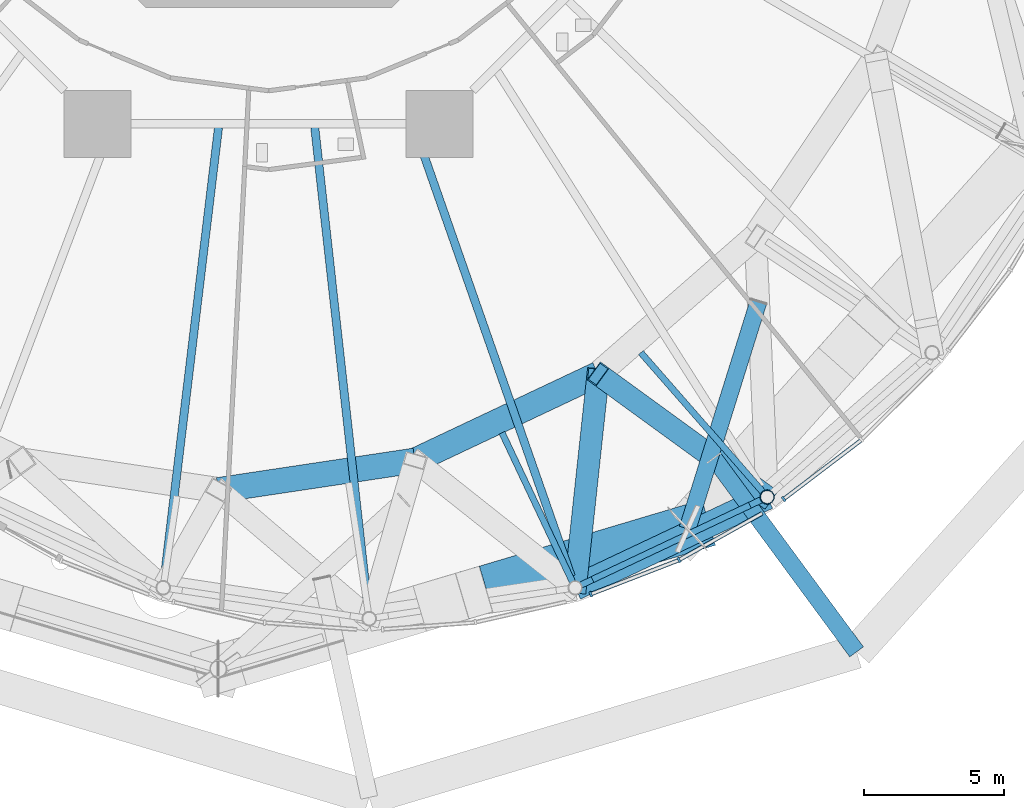
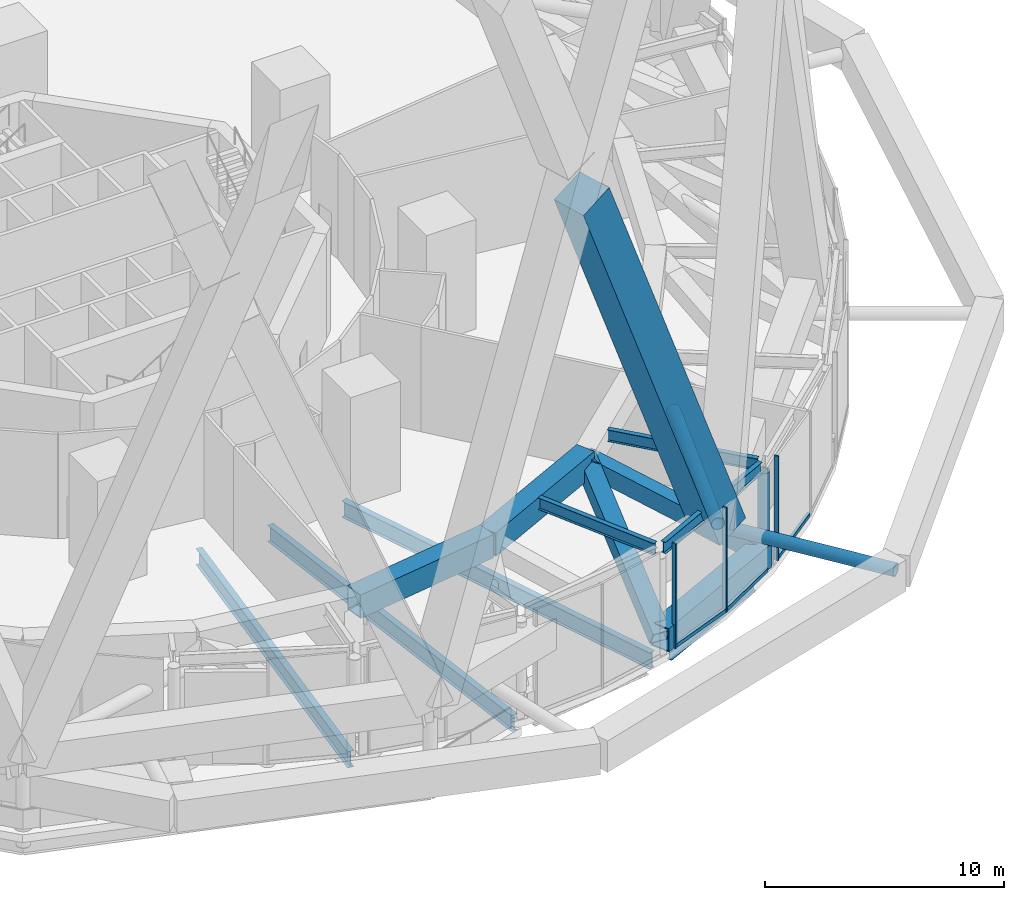
# One storey, part 11 of 51: 12 beams, 10 members, 3 elements without a shape of their own.
"""IFC4 building model written with IfcOpenShell, lengths in metres."""

from ifc_helpers import new_model, si_unit, direction, frame, origin, origin_2d, place, context, subcontext, project, spatial, rectangle, hollow_rectangle, hollow_circle, i_section, extrude, material, layer, layer_set, material_profile, profile_set, type_object, element, aggregate, save


model = new_model("IFC4")

# Units and contexts
model_context = context("Model", 3, precision=1e-05, world=origin(), true_north=direction((0.0, 1.0)))
body_context = subcontext(model_context, "Body", "Model", "MODEL_VIEW")
ifc_project = project(units=[si_unit("LENGTHUNIT", "METRE"), si_unit("AREAUNIT", "SQUARE_METRE"), si_unit("VOLUMEUNIT", "CUBIC_METRE"), si_unit("PLANEANGLEUNIT", "RADIAN"), si_unit("MASSUNIT", "GRAM", prefix="KILO")], contexts=[model_context])

# Site, building, storey
site_placement = place(None, origin())
site = spatial("IfcSite", under=ifc_project, at=site_placement, CompositionType="ELEMENT")
building_placement = place(site_placement, origin())
building = spatial("IfcBuilding", under=site, at=building_placement, Name="Nagisa Residences", CompositionType="ELEMENT")
storey_placement = place(building_placement, frame((0.0, 0.0, 67.699951171875)))
storey = spatial("IfcBuildingStorey", under=building, at=storey_placement, Name="L16", CompositionType="ELEMENT", Elevation=67.699951171875)

# Beams
ifc_material_1 = material(Name="Steel ASTM A572 Gr 50", Category="steel")
ifc_material_profile_1 = material_profile(ifc_material_1, hollow_rectangle(XDim=0.89990234375, YDim=1.199951171875, WallThickness=0.050048828125, at=origin_2d()), Name="BX 900x1200x50")
ifc_profile_set_1 = profile_set([ifc_material_profile_1], Name="Steel ASTM A572 Gr 50")
beam_type_1 = type_object("IfcBeamType", Name="Belt chord 1 BX 900x1200x50", PredefinedType="BEAM", material=ifc_profile_set_1)
beam_1_placement = place(storey_placement, frame((-1.800048828125, -27.897216796875, 4.739990234375), z_axis=(0.988918733765, 0.148457866103, 0.0), x_axis=(-0.148457866103, 0.988918733765, 0.0)))
element("IfcBeam", 1, at=beam_1_placement, inside=storey, type_object=beam_type_1, Name="beam:L16:bt1t19", PredefinedType="BEAM", context=body_context, shape_type="SweptSolid", body=[
    extrude(hollow_rectangle(XDim=0.89990234375, YDim=1.199951171875, WallThickness=0.050048828125, at=origin_2d()), origin(), (0.0, 0.0, 1.0), 7.117431640625),
])
beam_2_placement = place(storey_placement, frame((10.976318359375, -31.392578125, 0.60009765625), z_axis=(0.904204207344, 0.427100399697, 0.0), x_axis=(-0.427100399697, 0.904204207344, 0.0)))
element("IfcBeam", 2, at=beam_2_placement, inside=storey, type_object=beam_type_1, Name="beam:L16:bt1b20", PredefinedType="BEAM", context=body_context, shape_type="SweptSolid", body=[
    extrude(hollow_rectangle(XDim=0.89990234375, YDim=1.199951171875, WallThickness=0.050048828125, at=origin_2d()), origin(), (0.0, 0.0, 1.0), 7.60205078125),
])
beam_3_placement = place(storey_placement, frame((5.238525390625, -26.840576171875, 4.739990234375), z_axis=(0.904193048846, 0.427124022292, 0.0), x_axis=(-0.427124022292, 0.904193048846, 0.0)))
element("IfcBeam", 3, at=beam_3_placement, inside=storey, type_object=beam_type_1, Name="beam:L16:bt1t20", PredefinedType="BEAM", context=body_context, shape_type="SweptSolid", body=[
    extrude(hollow_rectangle(XDim=0.89990234375, YDim=1.199951171875, WallThickness=0.050048828125, at=origin_2d()), origin(), (0.0, 0.0, 1.0), 7.254150390625),
])
ifc_material_2 = material(Name="Steel ASTM A572 Gr 50", Category="steel")
ifc_material_profile_2 = material_profile(ifc_material_2, hollow_rectangle(XDim=0.800048828125, YDim=0.800048828125, WallThickness=0.044921875, at=origin_2d()), Name="BX 800x800x45")
ifc_profile_set_2 = profile_set([ifc_material_profile_2], Name="Steel ASTM A572 Gr 50")
beam_type_2 = type_object("IfcBeamType", Name="Belt diagonal 1 BX 800x800x45", PredefinedType="BEAM", material=ifc_profile_set_2)
beam_4_placement = place(storey_placement, frame((10.976318359375, -31.392578125, 0.60009765625), z_axis=(0.093997243351, 0.875593822132, 0.473814285228), x_axis=(-0.994287045684, 0.106739265435, 0.0)))
element("IfcBeam", 4, at=beam_4_placement, inside=storey, type_object=beam_type_2, Name="beam:L16:bt1db20", PredefinedType="BEAM", context=body_context, shape_type="SweptSolid", body=[
    extrude(hollow_rectangle(XDim=0.800048828125, YDim=0.800048828125, WallThickness=0.044921875, at=origin_2d()), origin(), (0.0, 0.0, 1.0), 8.7373046875),
])
beam_5_placement = place(storey_placement, frame((17.85009765625, -28.145751953125, 0.60009765625), z_axis=(-0.707602161169, 0.514824742084, 0.483998622361), x_axis=(-0.58832490201, -0.808624640779, 0.0)))
element("IfcBeam", 5, at=beam_5_placement, inside=storey, type_object=beam_type_2, Name="beam:L16:bt1da21", PredefinedType="BEAM", context=body_context, shape_type="SweptSolid", body=[
    extrude(hollow_rectangle(XDim=0.800048828125, YDim=0.800048828125, WallThickness=0.044921875, at=origin_2d()), origin(), (0.0, 0.0, 1.0), 8.553466796875),
])

# Curtain wall, member
ifc_material_3 = material(Name="Aluminium curtain wall system", Category="aluminium")
ifc_layer = layer(ifc_material_3, 0.159912109375)
ifc_layer_set = layer_set([ifc_layer], Name="CW2 CURTAIN WALL")
curtain_wall_type = type_object("IfcCurtainWallType", Name="CW2 CURTAIN WALL", PredefinedType="NOTDEFINED", material=ifc_layer_set)
curtain_wall_1_placement = place(storey_placement, origin())
curtain_wall_1 = element("IfcCurtainWall", 6, at=curtain_wall_1_placement, inside=storey, type_object=curtain_wall_type, Name="cw:CW2:L16:38", PredefinedType="NOTDEFINED")
ifc_material_4 = material(Name="Aluminium", Category="aluminium")
ifc_material_profile_3 = material_profile(ifc_material_4, rectangle(XDim=0.199951171875, YDim=0.080078125, at=origin_2d()), Name="CW2 MULLION 200x80")
ifc_profile_set_3 = profile_set([ifc_material_profile_3], Name="Aluminium")
member_type_1 = type_object("IfcMemberType", Name="CW2 MULLION 200x80", PredefinedType="MULLION", material=ifc_profile_set_3)
member_1_placement = place(storey_placement, frame((11.533935546875, -31.624267578125, 0.0), z_axis=(0.0, 0.0, 1.0), x_axis=(-0.360327770268, 0.932825759707, 0.0)))
member_1 = element("IfcMember", 7, at=member_1_placement, type_object=member_type_1, Name="CW2 mullion", PredefinedType="MULLION", context=body_context, shape_type="SweptSolid", body=[
    extrude(rectangle(XDim=0.199951171875, YDim=0.080078125, at=origin_2d()), origin(), (0.0, 0.0, 1.0), 5.340087890625),
])

curtain_wall_2_placement = place(storey_placement, origin())
curtain_wall_2 = element("IfcCurtainWall", 8, at=curtain_wall_2_placement, inside=storey, type_object=curtain_wall_type, Name="cw:CW2:L16:39", PredefinedType="NOTDEFINED")
member_2_placement = place(storey_placement, frame((14.693603515625, -30.398681640625, 0.0), z_axis=(0.0, 0.0, 1.0), x_axis=(-0.489376918501, 0.872072377523, 0.0)))
member_2 = element("IfcMember", 9, at=member_2_placement, type_object=member_type_1, Name="CW2 mullion", PredefinedType="MULLION", context=body_context, shape_type="SweptSolid", body=[
    extrude(rectangle(XDim=0.199951171875, YDim=0.080078125, at=origin_2d()), origin(), (0.0, 0.0, 1.0), 5.340087890625),
])

curtain_wall_3_placement = place(storey_placement, origin())
curtain_wall_3 = element("IfcCurtainWall", 10, at=curtain_wall_3_placement, inside=storey, type_object=curtain_wall_type, Name="cw:CW2:L16:40", PredefinedType="NOTDEFINED")
member_3_placement = place(storey_placement, frame((18.441650390625, -28.218505859375, 0.0), z_axis=(0.0, 0.0, 1.0), x_axis=(-0.605255421737, 0.79603132756, 0.0)))
member_3 = element("IfcMember", 11, at=member_3_placement, type_object=member_type_1, Name="CW2 mullion", PredefinedType="MULLION", context=body_context, shape_type="SweptSolid", body=[
    extrude(rectangle(XDim=0.199951171875, YDim=0.080078125, at=origin_2d()), origin(), (0.0, 0.0, 1.0), 5.340087890625),
])

# Member
ifc_material_5 = material(Name="Aluminium", Category="aluminium")
ifc_material_profile_4 = material_profile(ifc_material_5, rectangle(XDim=0.139892578125, YDim=0.179931640625, at=origin_2d()), Name="CW2 TRANSOM 140x180")
ifc_profile_set_4 = profile_set([ifc_material_profile_4], Name="Aluminium")
member_type_2 = type_object("IfcMemberType", Name="CW2 TRANSOM 140x180", PredefinedType="USERDEFINED", material=ifc_profile_set_4)
member_4_placement = place(storey_placement, frame((11.49658203125, -31.638671875, 0.090087890625), z_axis=(0.932832137481, 0.36031125889, 0.0), x_axis=(-0.36031125889, 0.932832137481, 0.0)))
member_4 = element("IfcMember", 12, at=member_4_placement, type_object=member_type_2, Name="CW2 transom", ObjectType="TRANSOM", PredefinedType="USERDEFINED", context=body_context, shape_type="SweptSolid", body=[
    extrude(rectangle(XDim=0.139892578125, YDim=0.179931640625, at=origin_2d()), origin(), (0.0, 0.0, 1.0), 3.40087890625),
])

aggregate(curtain_wall_1, [member_1, member_4])

member_5_placement = place(storey_placement, frame((14.65869140625, -30.418212890625, 0.090087890625), z_axis=(0.872073829529, 0.489374331009, 0.0), x_axis=(-0.489374331009, 0.872073829529, 0.0)))
member_5 = element("IfcMember", 13, at=member_5_placement, type_object=member_type_2, Name="CW2 transom", ObjectType="TRANSOM", PredefinedType="USERDEFINED", context=body_context, shape_type="SweptSolid", body=[
    extrude(rectangle(XDim=0.139892578125, YDim=0.179931640625, at=origin_2d()), origin(), (0.0, 0.0, 1.0), 3.451171875),
])

aggregate(curtain_wall_2, [member_2, member_5])

member_6_placement = place(storey_placement, frame((18.409912109375, -28.24267578125, 0.090087890625), z_axis=(0.796020180418, 0.605270082168, 0.0), x_axis=(-0.605270082168, 0.796020180418, 0.0)))
member_6 = element("IfcMember", 14, at=member_6_placement, type_object=member_type_2, Name="CW2 transom", ObjectType="TRANSOM", PredefinedType="USERDEFINED", context=body_context, shape_type="SweptSolid", body=[
    extrude(rectangle(XDim=0.139892578125, YDim=0.179931640625, at=origin_2d()), origin(), (0.0, 0.0, 1.0), 3.511962890625),
])

aggregate(curtain_wall_3, [member_3, member_6])

# Members
ifc_material_6 = material(Name="Concrete C80", Category="concrete")
ifc_material_profile_5 = material_profile(ifc_material_6, rectangle(XDim=1.699951171875, YDim=1.699951171875, at=origin_2d()), Name="C80 1700x1700")
ifc_profile_set_5 = profile_set([ifc_material_profile_5], Name="Concrete C80")
member_type_3 = type_object("IfcMemberType", Name="Cage diagonal 2 C80 1700x1700", PredefinedType="BRACE", material=ifc_profile_set_5)
member_7_placement = place(storey_placement, frame((14.99755859375, -29.28466796875, 3.699951171875), z_axis=(-0.351202118237, -0.104799994776, 0.930416053839), x_axis=(0.285944187923, -0.958246273874, 0.0)))
element("IfcMember", 15, at=member_7_placement, inside=storey, type_object=member_type_3, Name="mem:L16:cg2d020a", PredefinedType="BRACE", context=body_context, shape_type="SweptSolid", body=[
    extrude(rectangle(XDim=1.699951171875, YDim=1.699951171875, at=origin_2d()), origin(), (0.0, 0.0, 1.0), 22.687744140625),
])
ifc_material_7 = material(Name="Steel ASTM A572 Gr 65", Category="steel")
ifc_material_profile_6 = material_profile(ifc_material_7, hollow_circle(Radius=0.304931640625, WallThickness=0.02490234375, at=origin_2d()), Name="CHS 610x25")
ifc_profile_set_6 = profile_set([ifc_material_profile_6], Name="Steel ASTM A572 Gr 65")
member_type_4 = type_object("IfcMemberType", Name="Cage strut CHS 610x25", PredefinedType="STRUT", material=ifc_profile_set_6)
member_8_placement = place(storey_placement, frame((21.050048828125, -33.6884765625, 1.900146484375), z_axis=(-0.593015056501, 0.805191370274, 0.0), x_axis=(-0.805191370274, -0.593015056501, 0.0)))
element("IfcMember", 16, at=member_8_placement, inside=storey, type_object=member_type_4, Name="mem:L16:bt1st1a11", PredefinedType="STRUT", context=body_context, shape_type="SweptSolid", body=[
    extrude(hollow_circle(Radius=0.304931640625, WallThickness=0.02490234375, at=origin_2d()), origin(), (0.0, 0.0, 1.0), 8.60107421875),
])
member_9_placement = place(storey_placement, frame((14.99755859375, -29.28466796875, 3.699951171875), z_axis=(0.298079056428, 0.954541186183, 0.0), x_axis=(-0.954541186183, 0.298079056428, 0.0)))
element("IfcMember", 17, at=member_9_placement, inside=storey, type_object=member_type_4, Name="mem:L16:bt1st2b11", PredefinedType="STRUT", context=body_context, shape_type="SweptSolid", body=[
    extrude(hollow_circle(Radius=0.304931640625, WallThickness=0.02490234375, at=origin_2d()), origin(), (0.0, 0.0, 1.0), 8.513916015625),
])

# Beam
ifc_material_8 = material(Name="Steel ASTM A572 Gr 50", Category="steel")
ifc_material_profile_7 = material_profile(ifc_material_8, i_section(OverallWidth=0.22802734375, OverallDepth=0.60302734375, WebThickness=0.010498046875, FlangeThickness=0.014892578125, at=origin_2d()), Name="W610x101")
ifc_profile_set_7 = profile_set([ifc_material_profile_7], Name="Steel ASTM A572 Gr 50")
beam_type_3 = type_object("IfcBeamType", Name="Garden edge beam W610x101", PredefinedType="BEAM", material=ifc_profile_set_7)
beam_6_placement = place(storey_placement, frame((11.18798828125, -31.292724609375, 5.03857421875), z_axis=(0.904203493361, 0.42710191125, 0.0), x_axis=(-0.42710191125, 0.904203493361, 0.0)))
element("IfcBeam", 18, at=beam_6_placement, inside=storey, type_object=beam_type_3, Name="beam:L16:bt1ge20", PredefinedType="BEAM", context=body_context, shape_type="SweptSolid", body=[
    extrude(i_section(OverallWidth=0.22802734375, OverallDepth=0.60302734375, WebThickness=0.010498046875, FlangeThickness=0.014892578125, at=origin_2d()), origin(), (0.0, 0.0, 1.0), 7.1337890625),
])

# Member
ifc_material_9 = material(Name="Steel ASTM A572 Gr 65", Category="steel")
ifc_material_profile_8 = material_profile(ifc_material_9, hollow_circle(Radius=0.25390625, WallThickness=0.02001953125, at=origin_2d()), Name="CHS 508x20")
ifc_profile_set_8 = profile_set([ifc_material_profile_8], Name="Steel ASTM A572 Gr 65")
member_type_5 = type_object("IfcMemberType", Name="Garden edge post CHS 508x20", PredefinedType="POST", material=ifc_profile_set_8)
member_10_placement = place(storey_placement, frame((17.85009765625, -28.145751953125, 1.199951171875), z_axis=(0.0, 0.0, 1.0), x_axis=(1.0, 0.0, 0.0)))
element("IfcMember", 19, at=member_10_placement, inside=storey, type_object=member_type_5, Name="mem:L16:gp121", PredefinedType="POST", context=body_context, shape_type="SweptSolid", body=[
    extrude(hollow_circle(Radius=0.25390625, WallThickness=0.02001953125, at=origin_2d()), origin(), (0.0, 0.0, 1.0), 3.537109375),
])

# Beams
ifc_material_10 = material(Name="Steel ASTM A572 Gr 50", Category="steel")
ifc_material_profile_9 = material_profile(ifc_material_10, i_section(OverallWidth=0.22802734375, OverallDepth=0.60302734375, WebThickness=0.010498046875, FlangeThickness=0.014892578125, at=origin_2d()), Name="W610x101")
ifc_profile_set_9 = profile_set([ifc_material_profile_9], Name="Steel ASTM A572 Gr 50")
beam_type_4 = type_object("IfcBeamType", Name="Garden radial beam W610x101", PredefinedType="BEAM", material=ifc_profile_set_9)
beam_7_placement = place(storey_placement, frame((10.87646484375, -31.180908203125, 5.03857421875), z_axis=(-0.42713312364, 0.904188749482, 0.0), x_axis=(-0.904188749482, -0.42713312364, 0.0)))
element("IfcBeam", 20, at=beam_7_placement, inside=storey, type_object=beam_type_4, Name="beam:L16:bt1gr20", PredefinedType="BEAM", context=body_context, shape_type="SweptSolid", body=[
    extrude(i_section(OverallWidth=0.22802734375, OverallDepth=0.60302734375, WebThickness=0.010498046875, FlangeThickness=0.014892578125, at=origin_2d()), origin(), (0.0, 0.0, 1.0), 5.902587890625),
])
beam_8_placement = place(storey_placement, frame((17.69580078125, -27.9697265625, 5.03857421875), z_axis=(-0.658541073562, 0.752544785666, 0.0), x_axis=(-0.752544785666, -0.658541073562, 0.0)))
element("IfcBeam", 21, at=beam_8_placement, inside=storey, type_object=beam_type_4, Name="beam:L16:bt1gr21", PredefinedType="BEAM", context=body_context, shape_type="SweptSolid", body=[
    extrude(i_section(OverallWidth=0.22802734375, OverallDepth=0.60302734375, WebThickness=0.010498046875, FlangeThickness=0.014892578125, at=origin_2d()), origin(), (0.0, 0.0, 1.0), 6.6357421875),
])
ifc_material_11 = material(Name="Steel ASTM A572 Gr 50", Category="steel")
ifc_material_profile_10 = material_profile(ifc_material_11, i_section(OverallWidth=0.22900390625, OverallDepth=0.612060546875, WebThickness=0.011962890625, FlangeThickness=0.01953125, at=origin_2d()), Name="W610x125")
ifc_profile_set_10 = profile_set([ifc_material_profile_10], Name="Steel ASTM A572 Gr 50")
beam_type_5 = type_object("IfcBeamType", Name="Perimeter ring beam W610x125", PredefinedType="BEAM", material=ifc_profile_set_10)
beam_9_placement = place(storey_placement, frame((11.597900390625, -31.098876953125, -0.656005859375), z_axis=(0.904215426643, 0.427076646774, 0.0), x_axis=(-0.427076646774, 0.904215426643, 0.0)))
element("IfcBeam", 22, at=beam_9_placement, inside=storey, type_object=beam_type_5, Name="beam:L16:pb20", PredefinedType="BEAM", context=body_context, shape_type="SweptSolid", body=[
    extrude(i_section(OverallWidth=0.22900390625, OverallDepth=0.612060546875, WebThickness=0.011962890625, FlangeThickness=0.01953125, at=origin_2d()), origin(), (0.0, 0.0, 1.0), 6.2275390625),
])
ifc_material_12 = material(Name="Steel ASTM A572 Gr 50", Category="steel")
ifc_material_profile_11 = material_profile(ifc_material_12, i_section(OverallWidth=0.2919921875, OverallDepth=0.8349609375, WebThickness=0.013916015625, FlangeThickness=0.018798828125, at=origin_2d()), Name="W840x176")
ifc_profile_set_11 = profile_set([ifc_material_profile_11], Name="Steel ASTM A572 Gr 50")
beam_type_6 = type_object("IfcBeamType", Name="Radial beam W840x176", PredefinedType="BEAM", material=ifc_profile_set_11)
beam_10_placement = place(storey_placement, frame((-3.72412109375, -30.958740234375, -0.767333984375), z_axis=(0.119425803125, 0.992843128368, 0.0), x_axis=(-0.992843128368, 0.119425803125, 0.0)))
element("IfcBeam", 23, at=beam_10_placement, inside=storey, type_object=beam_type_6, Name="beam:L16:rb18", PredefinedType="BEAM", context=body_context, shape_type="SweptSolid", body=[
    extrude(i_section(OverallWidth=0.2919921875, OverallDepth=0.8349609375, WebThickness=0.013916015625, FlangeThickness=0.018798828125, at=origin_2d()), origin(), (0.0, 0.0, 1.0), 16.16015625),
])
beam_11_placement = place(storey_placement, frame((3.55224609375, -32.06982421875, -0.767333984375), z_axis=(-0.110086875891, 0.993921968646, 0.0), x_axis=(-0.993921968646, -0.110086875891, 0.0)))
element("IfcBeam", 24, at=beam_11_placement, inside=storey, type_object=beam_type_6, Name="beam:L16:rb19", PredefinedType="BEAM", context=body_context, shape_type="SweptSolid", body=[
    extrude(i_section(OverallWidth=0.2919921875, OverallDepth=0.8349609375, WebThickness=0.013916015625, FlangeThickness=0.018798828125, at=origin_2d()), origin(), (0.0, 0.0, 1.0), 17.260498046875),
])
beam_12_placement = place(storey_placement, frame((10.834228515625, -30.986328125, -0.767333984375), z_axis=(-0.330050831769, 0.943963160536, 0.0), x_axis=(-0.943963160536, -0.330050831769, 0.0)))
element("IfcBeam", 25, at=beam_12_placement, inside=storey, type_object=beam_type_6, Name="beam:L16:rb20", PredefinedType="BEAM", context=body_context, shape_type="SweptSolid", body=[
    extrude(i_section(OverallWidth=0.2919921875, OverallDepth=0.8349609375, WebThickness=0.013916015625, FlangeThickness=0.018798828125, at=origin_2d()), origin(), (0.0, 0.0, 1.0), 17.025146484375),
])

save(model, "model.ifc")
